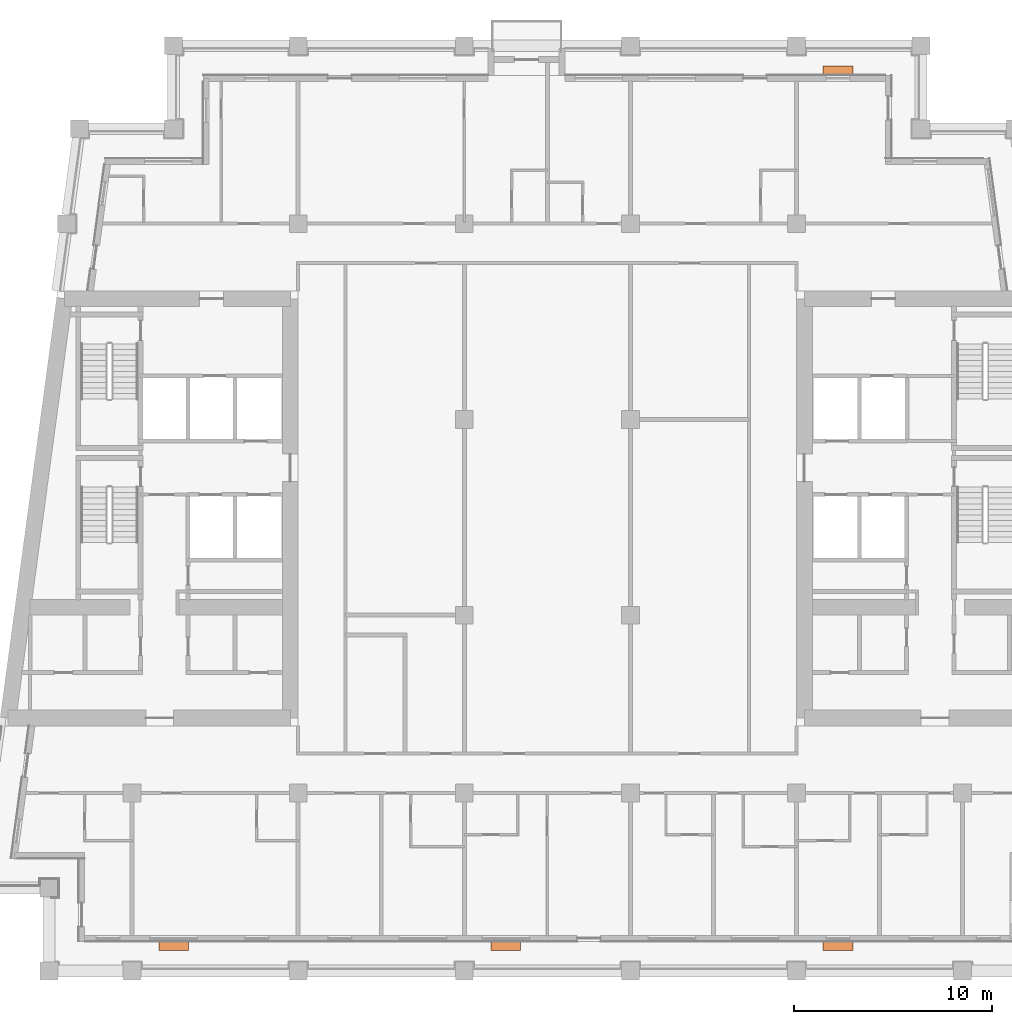
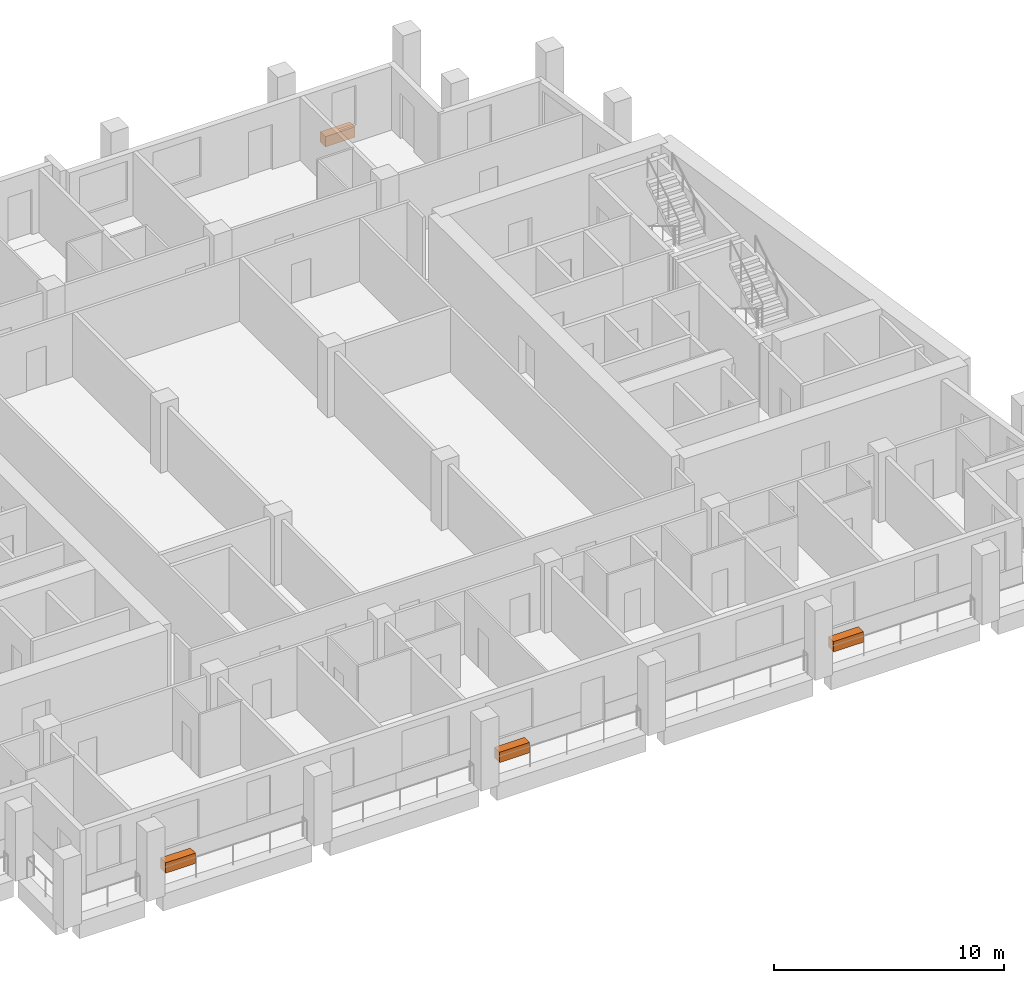
# One storey, part 12 of 12: 4 proxies.
"""IFC4 building model written with IfcOpenShell, lengths in metres."""

from ifc_helpers import new_model, si_unit, direction, frame, origin, origin_2d, place, context, subcontext, project, spatial, rectangle, extrude, element, save


model = new_model("IFC4")

# Units and contexts
model_context = context("Model", 3, precision=1e-05, world=origin(), true_north=direction((0.0, 1.0)))
body_context = subcontext(model_context, "Body", "Model", "MODEL_VIEW")
ifc_project = project(units=[si_unit("LENGTHUNIT", "METRE"), si_unit("AREAUNIT", "SQUARE_METRE"), si_unit("VOLUMEUNIT", "CUBIC_METRE"), si_unit("PLANEANGLEUNIT", "RADIAN"), si_unit("MASSUNIT", "GRAM", prefix="KILO")], contexts=[model_context])

# Site, building, storey
site_placement = place(None, origin())
site = spatial("IfcSite", under=ifc_project, at=site_placement, CompositionType="ELEMENT")
building_placement = place(site_placement, origin())
building = spatial("IfcBuilding", under=site, at=building_placement, Name="Candeia Pilgrim Tower and Theatre", CompositionType="ELEMENT")
storey_placement = place(building_placement, frame((0.0, 0.0, 224.39990234375)))
storey = spatial("IfcBuildingStorey", under=building, at=storey_placement, Name="L54", CompositionType="ELEMENT", Elevation=224.39990234375)

# Proxies
for number, where, z_axis, x_axis, name in (
    (1, (94.5, 99.2548828125, 0.0), (0.0, 0.0, 1.0), (1.0, 0.0, 0.0), "Planter"),
    (2, (111.300048828125, 99.2548828125, 0.0), (0.0, 0.0, 1.0), (1.0, 0.0, 0.0), "Planter"),
    (3, (128.10009765625, 99.2548828125, 0.0), (0.0, 0.0, 1.0), (1.0, 0.0, 0.0), "Planter"),
    (4, (128.10009765625, 143.544921875, 0.0), (0.0, 0.0, 1.0), (-1.0, 0.0, 0.0), "Planter"),
):
    element("IfcBuildingElementProxy", number, at=place(storey_placement, frame(where, z_axis=z_axis, x_axis=x_axis)), inside=storey, Name=name, ObjectType="PLANTER", PredefinedType="USERDEFINED", context=body_context, shape_type="SweptSolid", body=[
        extrude(rectangle(XDim=1.5, YDim=0.449951171875, at=origin_2d()), origin(), (0.0, 0.0, 1.0), 0.550048828125),
    ])

save(model, "model.ifc")
